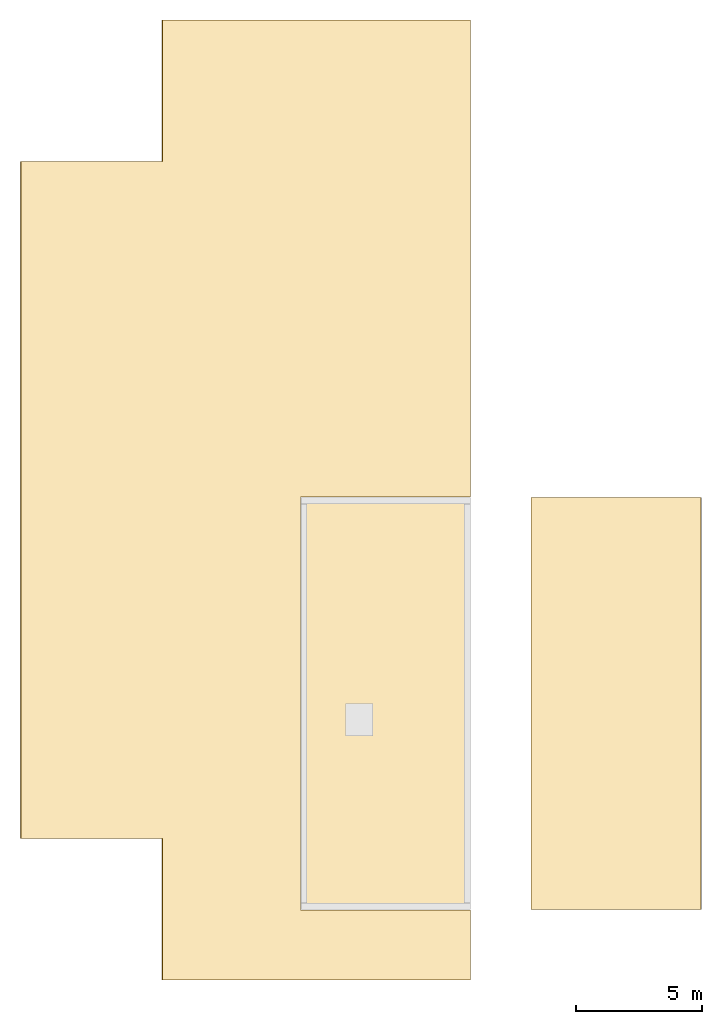
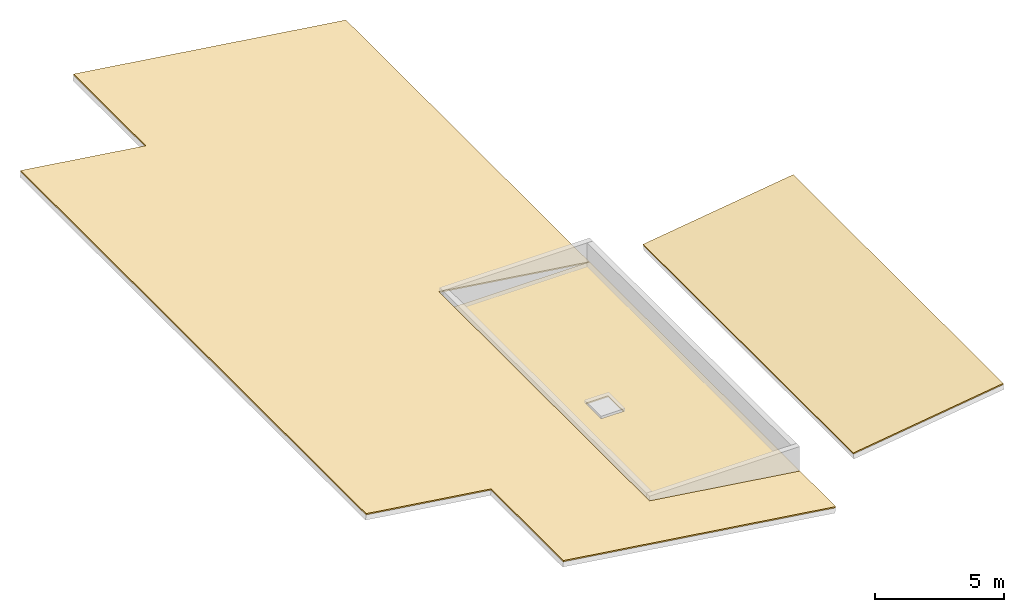
# One storey, part 2 of 2: 3 coverings.
"""IFC4 building model written with IfcOpenShell, lengths in metres."""

from ifc_helpers import new_model, si_unit, direction, frame, origin, place, context, subcontext, project, spatial, polyline, outline, extrude, material, layer, layer_set, type_object, element, save


model = new_model("IFC4")

# Units and contexts
model_context = context("Model", 3, precision=1e-05, world=origin(), true_north=direction((0.0, 1.0)))
body_context = subcontext(model_context, "Body", "Model", "MODEL_VIEW")
ifc_project = project(units=[si_unit("LENGTHUNIT", "METRE"), si_unit("AREAUNIT", "SQUARE_METRE"), si_unit("VOLUMEUNIT", "CUBIC_METRE"), si_unit("PLANEANGLEUNIT", "RADIAN"), si_unit("MASSUNIT", "GRAM", prefix="KILO")], contexts=[model_context])

# Site, building, storey
site_placement = place(None, origin())
site = spatial("IfcSite", under=ifc_project, at=site_placement, CompositionType="ELEMENT")
building_placement = place(site_placement, origin())
building = spatial("IfcBuilding", under=site, at=building_placement, Name="Krantzveldt Concourse Tower", CompositionType="ELEMENT")
storey_placement = place(building_placement, frame((0.0, 0.0, 389.0)))
storey = spatial("IfcBuildingStorey", under=building, at=storey_placement, Name="RF", CompositionType="ELEMENT", Elevation=389.0)

# Coverings
ifc_material = material(Name="EPDM waterproof membrane and ballast", Category="membrane")
ifc_layer = layer(ifc_material, 0.06005859375, Name="EPDM waterproof membrane and ballast", Category="membrane")
ifc_layer_set = layer_set([ifc_layer], Name="EPDM waterproof membrane and ballast (COV-ROOF-EPDM)")
covering_type = type_object("IfcCoveringType", Name="COV-ROOF-EPDM", PredefinedType="ROOFING", material=ifc_layer_set)
covering_1_placement = place(storey_placement, frame((0.0, 0.0, 0.239990234375)))
element("IfcCovering", 1, at=covering_1_placement, inside=storey, type_object=covering_type, Name="COV-RF-WEST_HH", PredefinedType="ROOFING", context=body_context, shape_type="SweptSolid", body=[
    extrude(outline(polyline([(28.080078125, 10.5), (34.800048828125, 10.5), (34.800048828125, 26.800048828125), (28.080078125, 26.800048828125), (28.080078125, 10.5)]), holes=[polyline([(29.89990234375, 17.39990234375), (30.89990234375, 17.39990234375), (30.89990234375, 18.60009765625), (29.89990234375, 18.60009765625), (29.89990234375, 17.39990234375)])]), origin(), (0.0, 0.0, 1.0), 0.06005859375),
])
covering_2_placement = place(storey_placement, frame((34.800048828125, 7.699951171875, 0.2958984375), z_axis=(0.139176483845, 0.0, 0.990267593302), x_axis=(-0.990267593302, 0.0, 0.139176483845)))
element("IfcCovering", 2, at=covering_2_placement, inside=storey, type_object=covering_type, Name="COV-RF-WEST_ROOF", PredefinedType="ROOFING", context=body_context, shape_type="SweptSolid", body=[
    extrude(outline(polyline([(0.0, 0.0), (12.319848230211903, 0.0), (12.319848230211903, -5.600097656250001), (17.97499057373785, -5.600097656250001), (17.97499057373785, -32.40014648437501), (12.319848230211903, -32.40014648437501), (12.319848230211903, -38.00000000000001), (0.0, -38.00000000000001), (0.0, -19.120117187500004), (6.806231007229637, -19.120117187500004), (6.806231007229637, -2.7800292968750004), (0.0, -2.7800292968750004), (0.0, 0.0)])), origin(), (0.0, 0.0, -1.0), 0.06005859375),
])
covering_3_placement = place(storey_placement, frame((37.199951171875, 10.5, 0.2958984375), z_axis=(-0.139194746137, 0.0, 0.990265026469), x_axis=(0.990265026469, 0.0, 0.139194746137)))
element("IfcCovering", 3, at=covering_3_placement, inside=storey, type_object=covering_type, Name="COV-RF-EAST_HH_ROOF", PredefinedType="ROOFING", context=body_context, shape_type="SweptSolid", body=[
    extrude(outline(polyline([(0.0, 0.0), (6.7860325503823615, 0.0), (6.7860325503823615, 16.300048828125), (0.0, 16.300048828125), (0.0, 0.0)])), origin(), (0.0, 0.0, -1.0), 0.06005859375),
])

save(model, "model.ifc")
